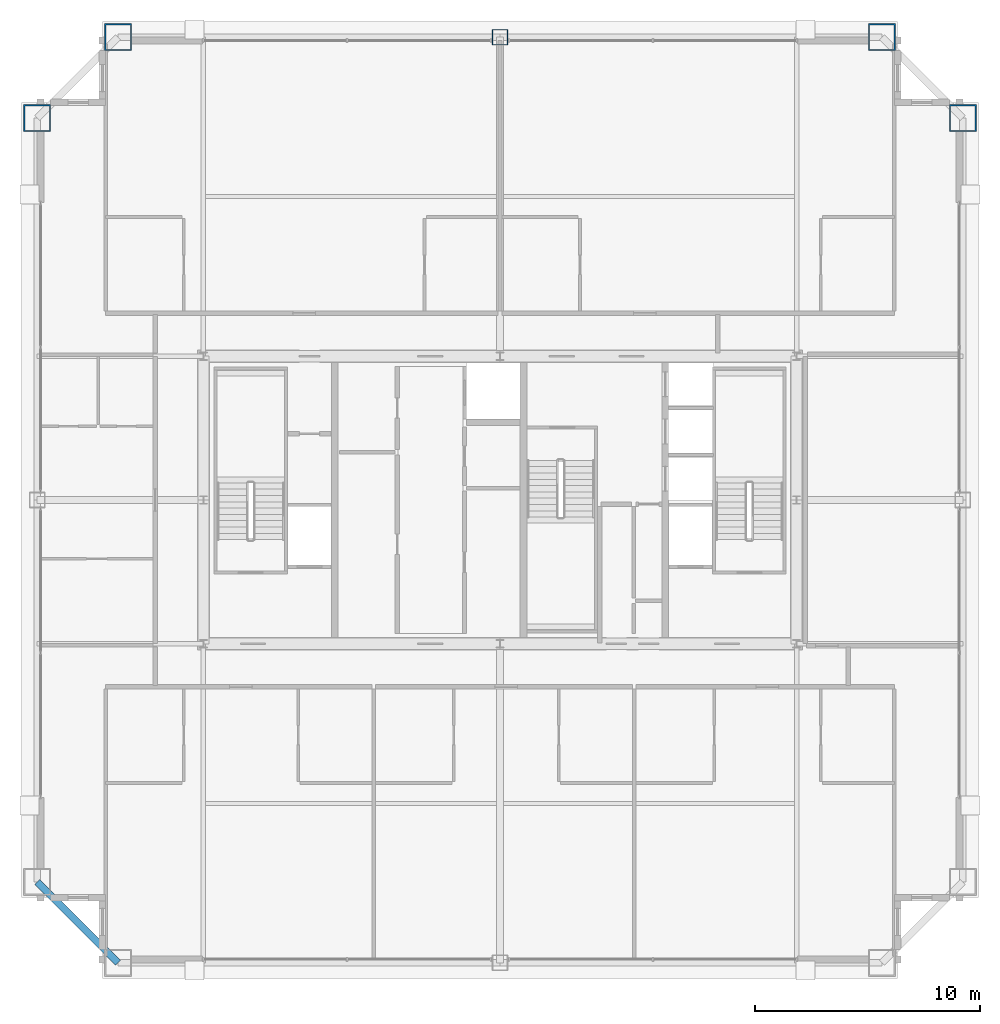
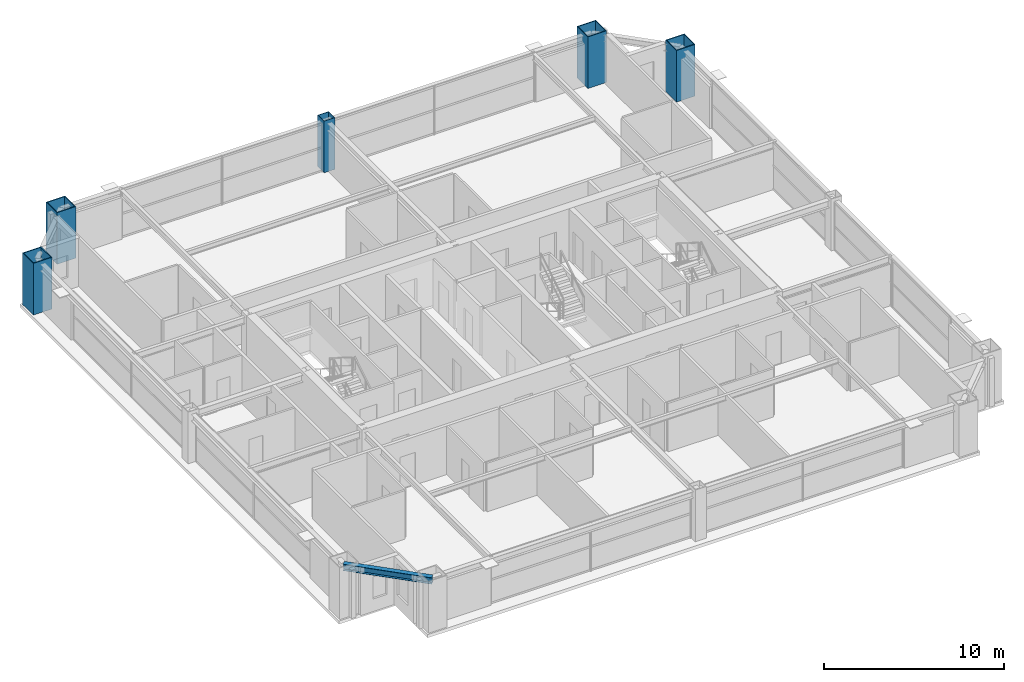
# One storey, part 3 of 37: 5 columns, 1 beam.
"""IFC4 building model written with IfcOpenShell, lengths in metres."""

from ifc_helpers import new_model, si_unit, direction, frame, origin, origin_2d, place, context, subcontext, project, spatial, hollow_rectangle, i_section, extrude, source, transform, mapped, material, material_profile, profile_set, type_object, element, save


model = new_model("IFC4")

# Units and contexts
model_context = context("Model", 3, precision=1e-05, world=origin(), true_north=direction((0.0, 1.0)))
body_context = subcontext(model_context, "Body", "Model", "MODEL_VIEW")
ifc_project = project(units=[si_unit("LENGTHUNIT", "METRE"), si_unit("AREAUNIT", "SQUARE_METRE"), si_unit("VOLUMEUNIT", "CUBIC_METRE"), si_unit("PLANEANGLEUNIT", "RADIAN"), si_unit("MASSUNIT", "GRAM", prefix="KILO"), si_unit("THERMODYNAMICTEMPERATUREUNIT", "KELVIN"), si_unit("POWERUNIT", "WATT")], contexts=[model_context])

# Site, building, storey
site_placement = place(None, origin())
site = spatial("IfcSite", under=ifc_project, at=site_placement, CompositionType="ELEMENT")
building_placement = place(site_placement, origin())
building = spatial("IfcBuilding", under=site, at=building_placement, Name="Yuzanri Waterfront Tower", CompositionType="ELEMENT")
storey_placement = place(building_placement, frame((0.0, 0.0, 268.10009765625)))
storey = spatial("IfcBuildingStorey", under=building, at=storey_placement, Name="L71", CompositionType="ELEMENT", Elevation=268.10009765625)

# Columns
ifc_material_1 = material(Name="Steel Q390GJC", Category="steel")
ifc_material_profile_1 = material_profile(ifc_material_1, hollow_rectangle(XDim=1.199951171875, YDim=1.199951171875, WallThickness=0.054931640625, at=origin_2d()), Name="RHS 1200x1200x55")
ifc_profile_set_1 = profile_set([ifc_material_profile_1], Name="Steel Q390GJC")
column_type_1 = type_object("IfcColumnType", Name="Mega Column Q390GJC RHS 1200x1200x55", PredefinedType="COLUMN", material=ifc_profile_set_1)
shared_shape_1 = source(origin(), body_context, "Body", "SweptSolid", [
    extrude(hollow_rectangle(XDim=1.199951171875, YDim=1.199951171875, WallThickness=0.054931640625, at=origin_2d()), origin(), (0.0, 0.0, 1.0), 3.5),
])
for number, where, z_axis, x_axis, name in (
    (1, (20.0, 46.39990234375, 0.0), (0.0, 0.0, 1.0), (1.0, 0.0, 0.0), "L71 Perimeter Mega Column N1"),
    (2, (54.0, 46.39990234375, 0.0), (0.0, 0.0, 1.0), (1.0, 0.0, 0.0), "L71 Perimeter Mega Column N3"),
    (3, (16.39990234375, 42.800048828125, 0.0), (0.0, 0.0, 1.0), (1.0, 0.0, 0.0), "L71 Perimeter Mega Column W3"),
    (4, (57.60009765625, 42.800048828125, 0.0), (0.0, 0.0, 1.0), (1.0, 0.0, 0.0), "L71 Perimeter Mega Column E3"),
):
    element("IfcColumn", number, at=place(storey_placement, frame(where, z_axis=z_axis, x_axis=x_axis)), inside=storey, type_object=column_type_1, Name=name, PredefinedType="COLUMN", context=body_context, shape_type="MappedRepresentation", body=[
        mapped(shared_shape_1, transform((0.0, 0.0, 0.0), scale=1.0)),
    ])
ifc_material_2 = material(Name="Steel Q355B", Category="steel")
ifc_material_profile_2 = material_profile(ifc_material_2, hollow_rectangle(XDim=0.699951171875, YDim=0.699951171875, WallThickness=0.031982421875, at=origin_2d()), Name="RHS 700x700x32")
ifc_profile_set_2 = profile_set([ifc_material_profile_2], Name="Steel Q355B")
column_type_2 = type_object("IfcColumnType", Name="Frame Column Q355B RHS 700x700x32", PredefinedType="COLUMN", material=ifc_profile_set_2)
shared_shape_2 = source(origin(), body_context, "Body", "SweptSolid", [
    extrude(hollow_rectangle(XDim=0.699951171875, YDim=0.699951171875, WallThickness=0.031982421875, at=origin_2d()), origin(), (0.0, 0.0, 1.0), 3.5),
])
column_placement = place(storey_placement, frame((37.0, 46.39990234375, 0.0), z_axis=(0.0, 0.0, 1.0), x_axis=(1.0, 0.0, 0.0)))
element("IfcColumn", 5, at=column_placement, inside=storey, type_object=column_type_2, Name="L71 Perimeter Frame Column N2", PredefinedType="COLUMN", context=body_context, shape_type="MappedRepresentation", body=[
    mapped(shared_shape_2, transform((0.0, 0.0, 0.0), scale=1.0)),
])

# Beam
ifc_material_3 = material(Name="Steel Q355B", Category="steel")
ifc_material_profile_3 = material_profile(ifc_material_3, i_section(OverallWidth=0.300048828125, OverallDepth=0.43994140625, WebThickness=0.010986328125, FlangeThickness=0.01806640625, at=origin_2d()), Name="HM 440x300x11x18")
ifc_profile_set_3 = profile_set([ifc_material_profile_3], Name="Steel Q355B")
beam_type = type_object("IfcBeamType", Name="Perimeter Spandrel Q355B HM 440x300", PredefinedType="SPANDREL", material=ifc_profile_set_3)
shared_shape_3 = source(origin(), body_context, "Body", "SweptSolid", [
    extrude(i_section(OverallWidth=0.300048828125, OverallDepth=0.43994140625, WebThickness=0.010986328125, FlangeThickness=0.01806640625, at=origin_2d()), origin(), (0.0, 0.0, 1.0), 5.09130859375),
])
beam_placement = place(storey_placement, frame((16.39990234375, 8.800048828125, 3.059814453125), z_axis=(0.707106781187, -0.707106781187, 0.0), x_axis=(0.707106781187, 0.707106781187, 0.0)))
element("IfcBeam", 6, at=beam_placement, inside=storey, type_object=beam_type, Name="L71 Perimeter Spandrel W1-S1", PredefinedType="SPANDREL", context=body_context, shape_type="MappedRepresentation", body=[
    mapped(shared_shape_3, transform((0.0, 0.0, 0.0), scale=1.0)),
])

save(model, "model.ifc")
